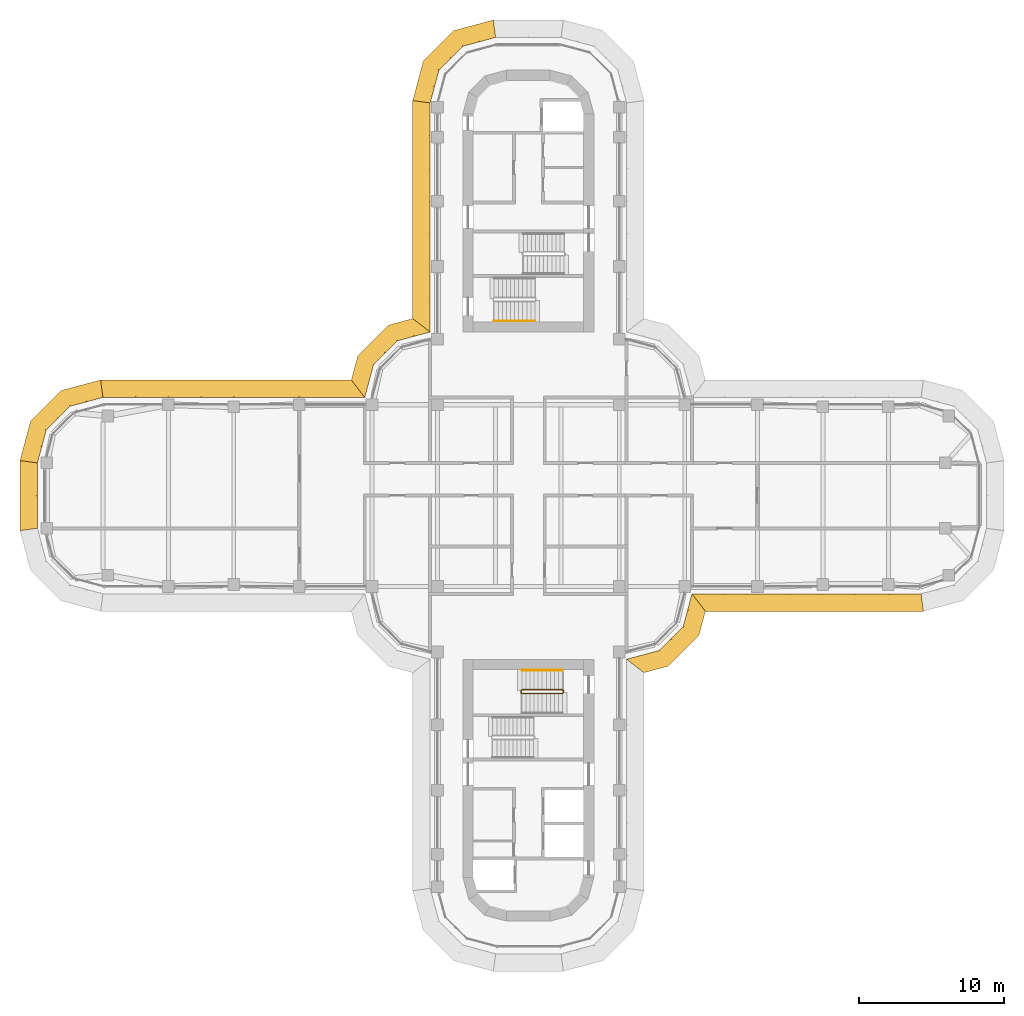
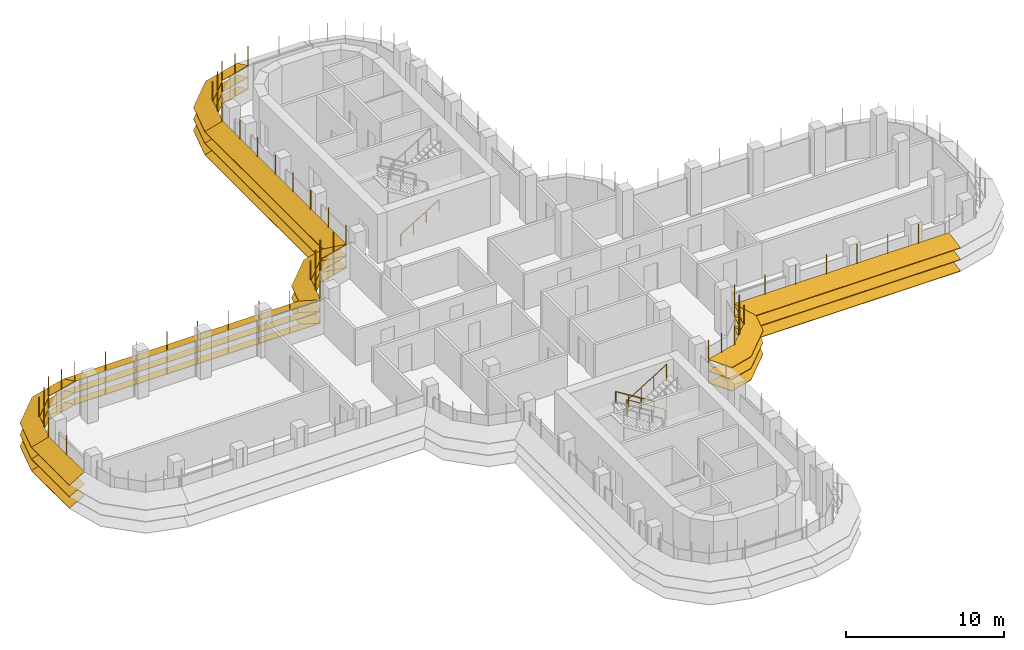
# One storey, part 17 of 19: 8 shading devices, 3 railings.
"""IFC4 building model written with IfcOpenShell, lengths in metres."""

from ifc_helpers import new_model, si_unit, direction, frame, origin, origin_2d, place, context, subcontext, project, spatial, polyline, circle, outline, extrude, faceted_brep, source, transform, mapped, material, type_object, element, save


model = new_model("IFC4")

# Units and contexts
model_context = context("Model", 3, precision=1e-05, world=origin(), true_north=direction((0.0, 1.0)))
body_context = subcontext(model_context, "Body", "Model", "MODEL_VIEW")
ifc_project = project(units=[si_unit("LENGTHUNIT", "METRE"), si_unit("AREAUNIT", "SQUARE_METRE"), si_unit("VOLUMEUNIT", "CUBIC_METRE"), si_unit("PLANEANGLEUNIT", "RADIAN"), si_unit("MASSUNIT", "GRAM", prefix="KILO")], contexts=[model_context])

# Site, building, storey
site_placement = place(None, origin())
site = spatial("IfcSite", under=ifc_project, at=site_placement, CompositionType="ELEMENT")
building_placement = place(site_placement, origin())
building = spatial("IfcBuilding", under=site, at=building_placement, Name="Zarbagh Exchange Tower", CompositionType="ELEMENT")
storey_placement = place(building_placement, frame((0.0, 0.0, 179.0)))
storey = spatial("IfcBuildingStorey", under=building, at=storey_placement, Name="L43", CompositionType="ELEMENT", Elevation=179.0)

# Railings
ifc_material_1 = material(Name="Stainless steel", Category="steel")
railing_type_1 = type_object("IfcRailingType", Name="Stair guard 1100 mm", PredefinedType="GUARDRAIL", material=ifc_material_1)
railing_1_placement = place(storey_placement, frame((-0.5, -13.39990234375, 1.89990234375)))
element("IfcRailing", 1, at=railing_1_placement, inside=storey, type_object=railing_type_1, Name="ST4 stair guard 1", PredefinedType="GUARDRAIL", context=body_context, shape_type="SweptSolid", body=[
    extrude(circle(Radius=0.02392578125, at=origin_2d()), frame((0.0, 0.0, 1.076171875), z_axis=(0.0, -1.0, 0.0), x_axis=(1.0, 0.0, 0.0)), (0.0, 0.0, 1.0), 0.150146484375),
    extrude(circle(Radius=0.02392578125, at=origin_2d()), frame((0.0, -0.150146484375, 1.076171875), z_axis=(0.267953482034, -0.267953482034, 0.925419830635), x_axis=(0.707106781187, 0.707106781187, 0.0)), (0.0, 0.0, 1.0), 0.186767578125),
    extrude(circle(Radius=0.02392578125, at=origin_2d()), frame((0.050048828125, -0.2001953125, 1.2490234375), z_axis=(0.851089632645, 0.0, 0.525020415988), x_axis=(0.0, 1.0, 0.0)), (0.0, 0.0, 1.0), 3.2900390625),
    extrude(circle(Radius=0.02392578125, at=origin_2d()), frame((2.85009765625, -0.2001953125, 2.97607421875), z_axis=(0.013104066473, 0.013168302093, -0.99982742474), x_axis=(-0.708833529934, 0.705375805398, 0.0)), (0.0, 0.0, 1.0), 3.80078125),
    extrude(circle(Radius=0.02392578125, at=origin_2d()), frame((2.89990234375, -0.150146484375, -0.82373046875), z_axis=(0.0, 1.0, 0.0), x_axis=(-1.0, 0.0, 0.0)), (0.0, 0.0, 1.0), 0.150146484375),
    extrude(circle(Radius=0.02392578125, at=origin_2d()), frame((2.89990234375, 0.0, -0.82373046875), z_axis=(-0.26715648603, 0.26715648603, 0.925880566782), x_axis=(-0.707106781187, -0.707106781187, 0.0)), (0.0, 0.0, 1.0), 0.1865234375),
    extrude(circle(Radius=0.02392578125, at=origin_2d()), frame((2.85009765625, 0.0498046875, -0.6513671875), z_axis=(-0.851089632645, 0.0, 0.525020415988), x_axis=(0.0, -1.0, 0.0)), (0.0, 0.0, 1.0), 3.2900390625),
    extrude(circle(Radius=0.02099609375, at=origin_2d()), origin(), (0.0, 0.0, 1.0), 1.052001953125),
    extrude(circle(Radius=0.02099609375, at=origin_2d()), frame((0.0, -0.150146484375, 0.0)), (0.0, 0.0, 1.0), 1.052001953125),
    extrude(circle(Radius=0.02099609375, at=origin_2d()), frame((0.050048828125, -0.2001953125, 0.1728515625)), (0.0, 0.0, 1.0), 1.052001953125),
    extrude(circle(Radius=0.02099609375, at=origin_2d()), frame((0.9833984375, -0.2001953125, 0.74853515625)), (0.0, 0.0, 1.0), 1.052001953125),
    extrude(circle(Radius=0.02099609375, at=origin_2d()), frame((1.916748046875, -0.2001953125, 1.324462890625)), (0.0, 0.0, 1.0), 1.052001953125),
    extrude(circle(Radius=0.02099609375, at=origin_2d()), frame((2.85009765625, -0.2001953125, 1.900146484375)), (0.0, 0.0, 1.0), 1.052001953125),
    extrude(circle(Radius=0.02099609375, at=origin_2d()), frame((2.862548828125, -0.187744140625, 0.9501953125)), (0.0, 0.0, 1.0), 1.052001953125),
    extrude(circle(Radius=0.02099609375, at=origin_2d()), frame((2.875, -0.17529296875, 0.0)), (0.0, 0.0, 1.0), 1.052001953125),
    extrude(circle(Radius=0.02099609375, at=origin_2d()), frame((2.887451171875, -0.16259765625, -0.949951171875)), (0.0, 0.0, 1.0), 1.052001953125),
    extrude(circle(Radius=0.02099609375, at=origin_2d()), frame((2.89990234375, -0.150146484375, -1.89990234375)), (0.0, 0.0, 1.0), 1.052001953125),
    extrude(circle(Radius=0.02099609375, at=origin_2d()), frame((2.89990234375, 0.0, -1.89990234375)), (0.0, 0.0, 1.0), 1.052001953125),
    extrude(circle(Radius=0.02099609375, at=origin_2d()), frame((2.85009765625, 0.0498046875, -1.727294921875)), (0.0, 0.0, 1.0), 1.052001953125),
    extrude(circle(Radius=0.02099609375, at=origin_2d()), frame((1.916748046875, 0.0498046875, -1.151611328125)), (0.0, 0.0, 1.0), 1.052001953125),
    extrude(circle(Radius=0.02099609375, at=origin_2d()), frame((0.9833984375, 0.0498046875, -0.57568359375)), (0.0, 0.0, 1.0), 1.052001953125),
    extrude(circle(Radius=0.02099609375, at=origin_2d()), frame((0.050048828125, 0.0498046875, 0.0)), (0.0, 0.0, 1.0), 1.052001953125),
])
railing_type_2 = type_object("IfcRailingType", Name="Stair handrail 900 mm", PredefinedType="HANDRAIL", material=ifc_material_1)
railing_2_placement = place(storey_placement, frame((-2.35009765625, 12.0, 0.172607421875)))
element("IfcRailing", 2, at=railing_2_placement, inside=storey, type_object=railing_type_2, Name="ST2 stair handrail 1", PredefinedType="HANDRAIL", context=body_context, shape_type="SweptSolid", body=[
    extrude(circle(Radius=0.02392578125, at=origin_2d()), frame((0.0, 0.0, 0.8759765625), z_axis=(0.851089632645, 0.0, 0.525020415988), x_axis=(0.0, 1.0, 0.0)), (0.0, 0.0, 1.0), 3.2900390625),
    extrude(circle(Radius=0.02099609375, at=origin_2d()), origin(), (0.0, 0.0, 1.0), 0.851806640625),
    extrude(circle(Radius=0.02099609375, at=origin_2d()), frame((0.933349609375, 0.0, 0.57568359375)), (0.0, 0.0, 1.0), 0.851806640625),
    extrude(circle(Radius=0.02099609375, at=origin_2d()), frame((1.86669921875, 0.0, 1.151611328125)), (0.0, 0.0, 1.0), 0.851806640625),
    extrude(circle(Radius=0.02099609375, at=origin_2d()), frame((2.800048828125, 0.0, 1.727294921875)), (0.0, 0.0, 1.0), 0.851806640625),
])
railing_3_placement = place(storey_placement, frame((2.35009765625, -12.0, 0.172607421875)))
element("IfcRailing", 3, at=railing_3_placement, inside=storey, type_object=railing_type_2, Name="ST4 stair handrail 1", PredefinedType="HANDRAIL", context=body_context, shape_type="SweptSolid", body=[
    extrude(circle(Radius=0.02392578125, at=origin_2d()), frame((0.0, 0.0, 0.8759765625), z_axis=(-0.851089632645, 0.0, 0.525020415988), x_axis=(0.0, -1.0, 0.0)), (0.0, 0.0, 1.0), 3.2900390625),
    extrude(circle(Radius=0.02099609375, at=origin_2d()), origin(), (0.0, 0.0, 1.0), 0.851806640625),
    extrude(circle(Radius=0.02099609375, at=origin_2d()), frame((-0.933349609375, 0.0, 0.57568359375)), (0.0, 0.0, 1.0), 0.851806640625),
    extrude(circle(Radius=0.02099609375, at=origin_2d()), frame((-1.86669921875, 0.0, 1.151611328125)), (0.0, 0.0, 1.0), 0.851806640625),
    extrude(circle(Radius=0.02099609375, at=origin_2d()), frame((-2.800048828125, 0.0, 1.727294921875)), (0.0, 0.0, 1.0), 0.851806640625),
])

# Shading devices
ifc_material_2 = material(Name="Anodised aluminium blades and brackets", Category="aluminium")
shading_device_type = type_object("IfcShadingDeviceType", Name="SUNSHADE louvre band, 22.5 degree blades", PredefinedType="JALOUSIE", material=ifc_material_2)
shared_shape_1 = source(origin(), body_context, "Body", "Brep", [
    faceted_brep([(0.0, 0.0, 0.0), (0.0, 0.0, -0.043212890625), (-0.157958984375, -1.199951171875, -0.540283203125), (-0.157958984375, -1.199951171875, -0.4970703125), (2.65087890625, -1.199951171875, -0.4970703125), (2.65087890625, -1.199951171875, -0.540283203125), (2.329345703125, 0.0, -0.043212890625), (2.329345703125, 0.0, 0.0)], [[[0, 1, 2, 3]], [[4, 5, 6, 7]], [[0, 7, 6, 1]], [[1, 6, 5, 2]], [[2, 5, 4, 3]], [[3, 4, 7, 0]]]),
])
shared_shape_2 = source(origin(), body_context, "Body", "Brep", [
    faceted_brep([(0.0, 0.0, 0.0), (0.0, 0.0, -0.043212890625), (-0.321533203125, -1.199951171875, -0.540283203125), (-0.321533203125, -1.199951171875, -0.4970703125), (2.65087890625, -1.199951171875, -0.4970703125), (2.65087890625, -1.199951171875, -0.540283203125), (2.329345703125, 0.0, -0.043212890625), (2.329345703125, 0.0, 0.0)], [[[0, 1, 2, 3]], [[4, 5, 6, 7]], [[0, 7, 6, 1]], [[1, 6, 5, 2]], [[2, 5, 4, 3]], [[3, 4, 7, 0]]]),
])
shared_shape_3 = source(origin(), body_context, "Body", "Brep", [
    faceted_brep([(0.0, 0.0, 0.0), (0.0, 0.0, -0.043212890625), (-0.321533203125, -1.199951171875, -0.540283203125), (-0.321533203125, -1.199951171875, -0.4970703125), (2.4873046875, -1.199951171875, -0.4970703125), (2.4873046875, -1.199951171875, -0.540283203125), (2.329345703125, 0.0, -0.043212890625), (2.329345703125, 0.0, 0.0)], [[[0, 1, 2, 3]], [[4, 5, 6, 7]], [[0, 7, 6, 1]], [[1, 6, 5, 2]], [[2, 5, 4, 3]], [[3, 4, 7, 0]]]),
])
shared_shape_4 = source(origin(), body_context, "Body", "SweptSolid", [
    extrude(outline(polyline([(0.0, -0.012451171875), (0.06005859375, -0.012451171875), (0.06005859375, 0.012451171875), (0.0, 0.012451171875), (0.0, -0.012451171875)])), origin(), (0.0, 0.0, 1.0), 3.353271484375),
])
placement = place(storey_placement, origin())
element("IfcShadingDevice", 4, at=placement, inside=storey, type_object=shading_device_type, Name="SS28 sunshade band", PredefinedType="JALOUSIE", context=body_context, shape_type="MappedRepresentation", body=[
    mapped(shared_shape_1, transform((-2.25, 31.5, 2.300048828125), x_axis=(-0.965924289636, -0.258824779902, 0.0), y_axis=(0.258824779902, -0.965924289636, 0.0), z_axis=(0.0, 0.0, 1.0))),
    mapped(shared_shape_1, transform((-2.25, 31.5, 1.39990234375), x_axis=(-0.965924289636, -0.258824779902, 0.0), y_axis=(0.258824779902, -0.965924289636, 0.0), z_axis=(0.0, 0.0, 1.0))),
    mapped(shared_shape_1, transform((-2.25, 31.5, 0.5), x_axis=(-0.965924289636, -0.258824779902, 0.0), y_axis=(0.258824779902, -0.965924289636, 0.0), z_axis=(0.0, 0.0, 1.0))),
    mapped(shared_shape_2, transform((-4.5, 30.897216796875, 2.300048828125), x_axis=(-0.707106781187, -0.707106781187, 0.0), y_axis=(0.707106781187, -0.707106781187, 0.0), z_axis=(0.0, 0.0, 1.0))),
    mapped(shared_shape_2, transform((-4.5, 30.897216796875, 1.39990234375), x_axis=(-0.707106781187, -0.707106781187, 0.0), y_axis=(0.707106781187, -0.707106781187, 0.0), z_axis=(0.0, 0.0, 1.0))),
    mapped(shared_shape_2, transform((-4.5, 30.897216796875, 0.5), x_axis=(-0.707106781187, -0.707106781187, 0.0), y_axis=(0.707106781187, -0.707106781187, 0.0), z_axis=(0.0, 0.0, 1.0))),
    mapped(shared_shape_3, transform((-6.147216796875, 29.25, 2.300048828125), x_axis=(-0.258824779902, -0.965924289636, 0.0), y_axis=(0.965924289636, -0.258824779902, 0.0), z_axis=(0.0, 0.0, 1.0))),
    mapped(shared_shape_3, transform((-6.147216796875, 29.25, 1.39990234375), x_axis=(-0.258824779902, -0.965924289636, 0.0), y_axis=(0.965924289636, -0.258824779902, 0.0), z_axis=(0.0, 0.0, 1.0))),
    mapped(shared_shape_3, transform((-6.147216796875, 29.25, 0.5), x_axis=(-0.258824779902, -0.965924289636, 0.0), y_axis=(0.965924289636, -0.258824779902, 0.0), z_axis=(0.0, 0.0, 1.0))),
    mapped(shared_shape_4, transform((-2.25, 31.5, 0.4267578125), x_axis=(-0.130529263012, 0.991444457092, 0.0), y_axis=(-0.991444457092, -0.130529263012, 0.0), z_axis=(0.0, 0.0, 1.0))),
    mapped(shared_shape_4, transform((-3.375, 31.198486328125, 0.4267578125), x_axis=(-0.258825058029, 0.96592421511, 0.0), y_axis=(-0.96592421511, -0.258825058029, 0.0), z_axis=(0.0, 0.0, 1.0))),
    mapped(shared_shape_4, transform((-4.5, 30.897216796875, 0.4267578125), x_axis=(-0.50000275701, 0.866023812018, 0.0), y_axis=(-0.866023812018, -0.50000275701, 0.0), z_axis=(0.0, 0.0, 1.0))),
    mapped(shared_shape_4, transform((-5.323486328125, 30.073486328125, 0.4267578125), x_axis=(-0.707106781187, 0.707106781187, 0.0), y_axis=(-0.707106781187, -0.707106781187, 0.0), z_axis=(0.0, 0.0, 1.0))),
    mapped(shared_shape_4, transform((-6.147216796875, 29.25, 0.4267578125), x_axis=(-0.866023812018, 0.50000275701, 0.0), y_axis=(-0.50000275701, -0.866023812018, 0.0), z_axis=(0.0, 0.0, 1.0))),
    mapped(shared_shape_4, transform((-6.448486328125, 28.125, 0.4267578125), x_axis=(-0.96592421511, 0.258825058029, 0.0), y_axis=(-0.258825058029, -0.96592421511, 0.0), z_axis=(0.0, 0.0, 1.0))),
])
element("IfcShadingDevice", 5, at=placement, inside=storey, type_object=shading_device_type, Name="SS17 sunshade band", PredefinedType="JALOUSIE", context=body_context, shape_type="MappedRepresentation", body=[
    mapped(shared_shape_1, transform((-29.25, 6.75, 2.300048828125), x_axis=(-0.965924289636, -0.258824779902, 0.0), y_axis=(0.258824779902, -0.965924289636, 0.0), z_axis=(0.0, 0.0, 1.0))),
    mapped(shared_shape_1, transform((-29.25, 6.75, 1.39990234375), x_axis=(-0.965924289636, -0.258824779902, 0.0), y_axis=(0.258824779902, -0.965924289636, 0.0), z_axis=(0.0, 0.0, 1.0))),
    mapped(shared_shape_1, transform((-29.25, 6.75, 0.5), x_axis=(-0.965924289636, -0.258824779902, 0.0), y_axis=(0.258824779902, -0.965924289636, 0.0), z_axis=(0.0, 0.0, 1.0))),
    mapped(shared_shape_2, transform((-31.5, 6.147216796875, 2.300048828125), x_axis=(-0.707106781187, -0.707106781187, 0.0), y_axis=(0.707106781187, -0.707106781187, 0.0), z_axis=(0.0, 0.0, 1.0))),
    mapped(shared_shape_2, transform((-31.5, 6.147216796875, 1.39990234375), x_axis=(-0.707106781187, -0.707106781187, 0.0), y_axis=(0.707106781187, -0.707106781187, 0.0), z_axis=(0.0, 0.0, 1.0))),
    mapped(shared_shape_2, transform((-31.5, 6.147216796875, 0.5), x_axis=(-0.707106781187, -0.707106781187, 0.0), y_axis=(0.707106781187, -0.707106781187, 0.0), z_axis=(0.0, 0.0, 1.0))),
    mapped(shared_shape_3, transform((-33.147216796875, 4.5, 2.300048828125), x_axis=(-0.258824779902, -0.965924289636, 0.0), y_axis=(0.965924289636, -0.258824779902, 0.0), z_axis=(0.0, 0.0, 1.0))),
    mapped(shared_shape_3, transform((-33.147216796875, 4.5, 1.39990234375), x_axis=(-0.258824779902, -0.965924289636, 0.0), y_axis=(0.965924289636, -0.258824779902, 0.0), z_axis=(0.0, 0.0, 1.0))),
    mapped(shared_shape_3, transform((-33.147216796875, 4.5, 0.5), x_axis=(-0.258824779902, -0.965924289636, 0.0), y_axis=(0.965924289636, -0.258824779902, 0.0), z_axis=(0.0, 0.0, 1.0))),
    mapped(shared_shape_4, transform((-29.25, 6.75, 0.4267578125), x_axis=(-0.130529263012, 0.991444457092, 0.0), y_axis=(-0.991444457092, -0.130529263012, 0.0), z_axis=(0.0, 0.0, 1.0))),
    mapped(shared_shape_4, transform((-30.375, 6.448486328125, 0.4267578125), x_axis=(-0.258825058029, 0.96592421511, 0.0), y_axis=(-0.96592421511, -0.258825058029, 0.0), z_axis=(0.0, 0.0, 1.0))),
    mapped(shared_shape_4, transform((-31.5, 6.147216796875, 0.4267578125), x_axis=(-0.50000275701, 0.866023812018, 0.0), y_axis=(-0.866023812018, -0.50000275701, 0.0), z_axis=(0.0, 0.0, 1.0))),
    mapped(shared_shape_4, transform((-32.323486328125, 5.323486328125, 0.4267578125), x_axis=(-0.707106781187, 0.707106781187, 0.0), y_axis=(-0.707106781187, -0.707106781187, 0.0), z_axis=(0.0, 0.0, 1.0))),
    mapped(shared_shape_4, transform((-33.147216796875, 4.5, 0.4267578125), x_axis=(-0.866023812018, 0.50000275701, 0.0), y_axis=(-0.50000275701, -0.866023812018, 0.0), z_axis=(0.0, 0.0, 1.0))),
    mapped(shared_shape_4, transform((-33.448486328125, 3.375, 0.4267578125), x_axis=(-0.96592421511, 0.258825058029, 0.0), y_axis=(-0.258825058029, -0.96592421511, 0.0), z_axis=(0.0, 0.0, 1.0))),
])
shared_shape_5 = source(origin(), body_context, "Body", "Brep", [
    faceted_brep([(0.0, 0.0, 0.0), (0.0, 0.0, -0.043212890625), (0.9208984375, -1.199951171875, -0.540283203125), (0.9208984375, -1.199951171875, -0.4970703125), (2.65087890625, -1.199951171875, -0.4970703125), (2.65087890625, -1.199951171875, -0.540283203125), (2.329345703125, 0.0, -0.043212890625), (2.329345703125, 0.0, 0.0)], [[[0, 1, 2, 3]], [[4, 5, 6, 7]], [[0, 7, 6, 1]], [[1, 6, 5, 2]], [[2, 5, 4, 3]], [[3, 4, 7, 0]]]),
])
shared_shape_6 = source(origin(), body_context, "Body", "Brep", [
    faceted_brep([(0.0, 0.0, 0.0), (0.0, 0.0, -0.043212890625), (-0.321533203125, -1.199951171875, -0.540283203125), (-0.321533203125, -1.199951171875, -0.4970703125), (1.40869140625, -1.199951171875, -0.4970703125), (1.40869140625, -1.199951171875, -0.540283203125), (2.329345703125, 0.0, -0.043212890625), (2.329345703125, 0.0, 0.0)], [[[0, 1, 2, 3]], [[4, 5, 6, 7]], [[0, 7, 6, 1]], [[1, 6, 5, 2]], [[2, 5, 4, 3]], [[3, 4, 7, 0]]]),
])
element("IfcShadingDevice", 6, at=placement, inside=storey, type_object=shading_device_type, Name="SS03 sunshade band", PredefinedType="JALOUSIE", context=body_context, shape_type="MappedRepresentation", body=[
    mapped(shared_shape_5, transform((6.75, -11.25, 2.300048828125), x_axis=(0.965924289636, 0.258824779902, 0.0), y_axis=(-0.258824779902, 0.965924289636, 0.0), z_axis=(0.0, 0.0, 1.0))),
    mapped(shared_shape_5, transform((6.75, -11.25, 1.39990234375), x_axis=(0.965924289636, 0.258824779902, 0.0), y_axis=(-0.258824779902, 0.965924289636, 0.0), z_axis=(0.0, 0.0, 1.0))),
    mapped(shared_shape_5, transform((6.75, -11.25, 0.5), x_axis=(0.965924289636, 0.258824779902, 0.0), y_axis=(-0.258824779902, 0.965924289636, 0.0), z_axis=(0.0, 0.0, 1.0))),
    mapped(shared_shape_2, transform((9.0, -10.647216796875, 2.300048828125), x_axis=(0.707106781187, 0.707106781187, 0.0), y_axis=(-0.707106781187, 0.707106781187, 0.0), z_axis=(0.0, 0.0, 1.0))),
    mapped(shared_shape_2, transform((9.0, -10.647216796875, 1.39990234375), x_axis=(0.707106781187, 0.707106781187, 0.0), y_axis=(-0.707106781187, 0.707106781187, 0.0), z_axis=(0.0, 0.0, 1.0))),
    mapped(shared_shape_2, transform((9.0, -10.647216796875, 0.5), x_axis=(0.707106781187, 0.707106781187, 0.0), y_axis=(-0.707106781187, 0.707106781187, 0.0), z_axis=(0.0, 0.0, 1.0))),
    mapped(shared_shape_6, transform((10.647216796875, -9.0, 2.300048828125), x_axis=(0.258824779902, 0.965924289636, 0.0), y_axis=(-0.965924289636, 0.258824779902, 0.0), z_axis=(0.0, 0.0, 1.0))),
    mapped(shared_shape_6, transform((10.647216796875, -9.0, 1.39990234375), x_axis=(0.258824779902, 0.965924289636, 0.0), y_axis=(-0.965924289636, 0.258824779902, 0.0), z_axis=(0.0, 0.0, 1.0))),
    mapped(shared_shape_6, transform((10.647216796875, -9.0, 0.5), x_axis=(0.258824779902, 0.965924289636, 0.0), y_axis=(-0.965924289636, 0.258824779902, 0.0), z_axis=(0.0, 0.0, 1.0))),
    mapped(shared_shape_4, transform((6.75, -11.25, 0.4267578125), x_axis=(0.793355287, -0.608758892, 0.0), y_axis=(0.608758892, 0.793355287, 0.0), z_axis=(0.0, 0.0, 1.0))),
    mapped(shared_shape_4, transform((7.875, -10.948486328125, 0.4267578125), x_axis=(0.258825058029, -0.96592421511, 0.0), y_axis=(0.96592421511, 0.258825058029, 0.0), z_axis=(0.0, 0.0, 1.0))),
    mapped(shared_shape_4, transform((9.0, -10.647216796875, 0.4267578125), x_axis=(0.50000275701, -0.866023812018, 0.0), y_axis=(0.866023812018, 0.50000275701, 0.0), z_axis=(0.0, 0.0, 1.0))),
    mapped(shared_shape_4, transform((9.823486328125, -9.823486328125, 0.4267578125), x_axis=(0.707106781187, -0.707106781187, 0.0), y_axis=(0.707106781187, 0.707106781187, 0.0), z_axis=(0.0, 0.0, 1.0))),
    mapped(shared_shape_4, transform((10.647216796875, -9.0, 0.4267578125), x_axis=(0.866023812018, -0.50000275701, 0.0), y_axis=(0.50000275701, 0.866023812018, 0.0), z_axis=(0.0, 0.0, 1.0))),
    mapped(shared_shape_4, transform((10.948486328125, -7.875, 0.4267578125), x_axis=(0.96592421511, -0.258825058029, 0.0), y_axis=(0.258825058029, 0.96592421511, 0.0), z_axis=(0.0, 0.0, 1.0))),
])
element("IfcShadingDevice", 7, at=placement, inside=storey, type_object=shading_device_type, Name="SS15 sunshade band", PredefinedType="JALOUSIE", context=body_context, shape_type="MappedRepresentation", body=[
    mapped(shared_shape_5, transform((-6.75, 11.25, 2.300048828125), x_axis=(-0.965924289636, -0.258824779902, 0.0), y_axis=(0.258824779902, -0.965924289636, 0.0), z_axis=(0.0, 0.0, 1.0))),
    mapped(shared_shape_5, transform((-6.75, 11.25, 1.39990234375), x_axis=(-0.965924289636, -0.258824779902, 0.0), y_axis=(0.258824779902, -0.965924289636, 0.0), z_axis=(0.0, 0.0, 1.0))),
    mapped(shared_shape_5, transform((-6.75, 11.25, 0.5), x_axis=(-0.965924289636, -0.258824779902, 0.0), y_axis=(0.258824779902, -0.965924289636, 0.0), z_axis=(0.0, 0.0, 1.0))),
    mapped(shared_shape_2, transform((-9.0, 10.647216796875, 2.300048828125), x_axis=(-0.707106781187, -0.707106781187, 0.0), y_axis=(0.707106781187, -0.707106781187, 0.0), z_axis=(0.0, 0.0, 1.0))),
    mapped(shared_shape_2, transform((-9.0, 10.647216796875, 1.39990234375), x_axis=(-0.707106781187, -0.707106781187, 0.0), y_axis=(0.707106781187, -0.707106781187, 0.0), z_axis=(0.0, 0.0, 1.0))),
    mapped(shared_shape_2, transform((-9.0, 10.647216796875, 0.5), x_axis=(-0.707106781187, -0.707106781187, 0.0), y_axis=(0.707106781187, -0.707106781187, 0.0), z_axis=(0.0, 0.0, 1.0))),
    mapped(shared_shape_6, transform((-10.647216796875, 9.0, 2.300048828125), x_axis=(-0.258824779902, -0.965924289636, 0.0), y_axis=(0.965924289636, -0.258824779902, 0.0), z_axis=(0.0, 0.0, 1.0))),
    mapped(shared_shape_6, transform((-10.647216796875, 9.0, 1.39990234375), x_axis=(-0.258824779902, -0.965924289636, 0.0), y_axis=(0.965924289636, -0.258824779902, 0.0), z_axis=(0.0, 0.0, 1.0))),
    mapped(shared_shape_6, transform((-10.647216796875, 9.0, 0.5), x_axis=(-0.258824779902, -0.965924289636, 0.0), y_axis=(0.965924289636, -0.258824779902, 0.0), z_axis=(0.0, 0.0, 1.0))),
    mapped(shared_shape_4, transform((-6.75, 11.25, 0.4267578125), x_axis=(-0.793355287, 0.608758892, 0.0), y_axis=(-0.608758892, -0.793355287, 0.0), z_axis=(0.0, 0.0, 1.0))),
    mapped(shared_shape_4, transform((-7.875, 10.948486328125, 0.4267578125), x_axis=(-0.258825058029, 0.96592421511, 0.0), y_axis=(-0.96592421511, -0.258825058029, 0.0), z_axis=(0.0, 0.0, 1.0))),
    mapped(shared_shape_4, transform((-9.0, 10.647216796875, 0.4267578125), x_axis=(-0.50000275701, 0.866023812018, 0.0), y_axis=(-0.866023812018, -0.50000275701, 0.0), z_axis=(0.0, 0.0, 1.0))),
    mapped(shared_shape_4, transform((-9.823486328125, 9.823486328125, 0.4267578125), x_axis=(-0.707106781187, 0.707106781187, 0.0), y_axis=(-0.707106781187, -0.707106781187, 0.0), z_axis=(0.0, 0.0, 1.0))),
    mapped(shared_shape_4, transform((-10.647216796875, 9.0, 0.4267578125), x_axis=(-0.866023812018, 0.50000275701, 0.0), y_axis=(-0.50000275701, -0.866023812018, 0.0), z_axis=(0.0, 0.0, 1.0))),
    mapped(shared_shape_4, transform((-10.948486328125, 7.875, 0.4267578125), x_axis=(-0.96592421511, 0.258825058029, 0.0), y_axis=(-0.258825058029, -0.96592421511, 0.0), z_axis=(0.0, 0.0, 1.0))),
])
shared_shape_7 = source(origin(), body_context, "Body", "Brep", [
    faceted_brep([(0.0, 0.0, 0.0), (0.0, 0.0, -0.043212890625), (0.9208984375, -1.199951171875, -0.540283203125), (0.9208984375, -1.199951171875, -0.4970703125), (15.907958984375, -1.199951171875, -0.4970703125), (15.907958984375, -1.199951171875, -0.540283203125), (15.75, 0.0, -0.043212890625), (15.75, 0.0, 0.0)], [[[0, 1, 2, 3]], [[4, 5, 6, 7]], [[0, 7, 6, 1]], [[1, 6, 5, 2]], [[2, 5, 4, 3]], [[3, 4, 7, 0]]]),
])
element("IfcShadingDevice", 8, at=placement, inside=storey, type_object=shading_device_type, Name="SS30 sunshade band", PredefinedType="JALOUSIE", context=body_context, shape_type="MappedRepresentation", body=[
    mapped(shared_shape_7, transform((11.25, -6.75, 2.300048828125), x_axis=(1.0, 0.0, 0.0), y_axis=(0.0, 1.0, 0.0), z_axis=(0.0, 0.0, 1.0))),
    mapped(shared_shape_7, transform((11.25, -6.75, 1.39990234375), x_axis=(1.0, 0.0, 0.0), y_axis=(0.0, 1.0, 0.0), z_axis=(0.0, 0.0, 1.0))),
    mapped(shared_shape_7, transform((11.25, -6.75, 0.5), x_axis=(1.0, 0.0, 0.0), y_axis=(0.0, 1.0, 0.0), z_axis=(0.0, 0.0, 1.0))),
    mapped(shared_shape_4, transform((11.25, -6.75, 0.4267578125), x_axis=(0.608758892, -0.793355287, 0.0), y_axis=(0.793355287, 0.608758892, 0.0), z_axis=(0.0, 0.0, 1.0))),
    mapped(shared_shape_4, transform((13.5, -6.75, 0.4267578125), x_axis=(0.0, -1.0, 0.0), y_axis=(1.0, 0.0, 0.0), z_axis=(0.0, 0.0, 1.0))),
    mapped(shared_shape_4, transform((15.75, -6.75, 0.4267578125), x_axis=(0.0, -1.0, 0.0), y_axis=(1.0, 0.0, 0.0), z_axis=(0.0, 0.0, 1.0))),
    mapped(shared_shape_4, transform((18.0, -6.75, 0.4267578125), x_axis=(0.0, -1.0, 0.0), y_axis=(1.0, 0.0, 0.0), z_axis=(0.0, 0.0, 1.0))),
    mapped(shared_shape_4, transform((20.25, -6.75, 0.4267578125), x_axis=(0.0, -1.0, 0.0), y_axis=(1.0, 0.0, 0.0), z_axis=(0.0, 0.0, 1.0))),
    mapped(shared_shape_4, transform((22.5, -6.75, 0.4267578125), x_axis=(0.0, -1.0, 0.0), y_axis=(1.0, 0.0, 0.0), z_axis=(0.0, 0.0, 1.0))),
    mapped(shared_shape_4, transform((24.75, -6.75, 0.4267578125), x_axis=(0.0, -1.0, 0.0), y_axis=(1.0, 0.0, 0.0), z_axis=(0.0, 0.0, 1.0))),
])
shared_shape_8 = source(origin(), body_context, "Body", "Brep", [
    faceted_brep([(0.0, 0.0, 0.0), (0.0, 0.0, -0.043212890625), (-0.157958984375, -1.199951171875, -0.540283203125), (-0.157958984375, -1.199951171875, -0.4970703125), (14.8291015625, -1.199951171875, -0.4970703125), (14.8291015625, -1.199951171875, -0.540283203125), (15.75, 0.0, -0.043212890625), (15.75, 0.0, 0.0)], [[[0, 1, 2, 3]], [[4, 5, 6, 7]], [[0, 7, 6, 1]], [[1, 6, 5, 2]], [[2, 5, 4, 3]], [[3, 4, 7, 0]]]),
])
element("IfcShadingDevice", 9, at=placement, inside=storey, type_object=shading_device_type, Name="SS29 sunshade band", PredefinedType="JALOUSIE", context=body_context, shape_type="MappedRepresentation", body=[
    mapped(shared_shape_8, transform((-6.75, 27.0, 2.300048828125), x_axis=(0.0, -1.0, 0.0), y_axis=(1.0, 0.0, 0.0), z_axis=(0.0, 0.0, 1.0))),
    mapped(shared_shape_8, transform((-6.75, 27.0, 1.39990234375), x_axis=(0.0, -1.0, 0.0), y_axis=(1.0, 0.0, 0.0), z_axis=(0.0, 0.0, 1.0))),
    mapped(shared_shape_8, transform((-6.75, 27.0, 0.5), x_axis=(0.0, -1.0, 0.0), y_axis=(1.0, 0.0, 0.0), z_axis=(0.0, 0.0, 1.0))),
    mapped(shared_shape_4, transform((-6.75, 27.0, 0.4267578125), x_axis=(-0.991444457092, 0.130529263012, 0.0), y_axis=(-0.130529263012, -0.991444457092, 0.0), z_axis=(0.0, 0.0, 1.0))),
    mapped(shared_shape_4, transform((-6.75, 24.75, 0.4267578125), x_axis=(-1.0, 0.0, 0.0), y_axis=(0.0, -1.0, 0.0), z_axis=(0.0, 0.0, 1.0))),
    mapped(shared_shape_4, transform((-6.75, 22.5, 0.4267578125), x_axis=(-1.0, 0.0, 0.0), y_axis=(0.0, -1.0, 0.0), z_axis=(0.0, 0.0, 1.0))),
    mapped(shared_shape_4, transform((-6.75, 20.25, 0.4267578125), x_axis=(-1.0, 0.0, 0.0), y_axis=(0.0, -1.0, 0.0), z_axis=(0.0, 0.0, 1.0))),
    mapped(shared_shape_4, transform((-6.75, 18.0, 0.4267578125), x_axis=(-1.0, 0.0, 0.0), y_axis=(0.0, -1.0, 0.0), z_axis=(0.0, 0.0, 1.0))),
    mapped(shared_shape_4, transform((-6.75, 15.75, 0.4267578125), x_axis=(-1.0, 0.0, 0.0), y_axis=(0.0, -1.0, 0.0), z_axis=(0.0, 0.0, 1.0))),
    mapped(shared_shape_4, transform((-6.75, 13.5, 0.4267578125), x_axis=(-1.0, 0.0, 0.0), y_axis=(0.0, -1.0, 0.0), z_axis=(0.0, 0.0, 1.0))),
])
shared_shape_9 = source(origin(), body_context, "Body", "Brep", [
    faceted_brep([(0.0, 0.0, 0.0), (0.0, 0.0, -0.043212890625), (0.9208984375, -1.199951171875, -0.540283203125), (0.9208984375, -1.199951171875, -0.4970703125), (18.157958984375, -1.199951171875, -0.4970703125), (18.157958984375, -1.199951171875, -0.540283203125), (18.0, 0.0, -0.043212890625), (18.0, 0.0, 0.0)], [[[0, 1, 2, 3]], [[4, 5, 6, 7]], [[0, 7, 6, 1]], [[1, 6, 5, 2]], [[2, 5, 4, 3]], [[3, 4, 7, 0]]]),
])
element("IfcShadingDevice", 10, at=placement, inside=storey, type_object=shading_device_type, Name="SS16 sunshade band", PredefinedType="JALOUSIE", context=body_context, shape_type="MappedRepresentation", body=[
    mapped(shared_shape_9, transform((-11.25, 6.75, 2.300048828125), x_axis=(-1.0, 0.0, 0.0), y_axis=(0.0, -1.0, 0.0), z_axis=(0.0, 0.0, 1.0))),
    mapped(shared_shape_9, transform((-11.25, 6.75, 1.39990234375), x_axis=(-1.0, 0.0, 0.0), y_axis=(0.0, -1.0, 0.0), z_axis=(0.0, 0.0, 1.0))),
    mapped(shared_shape_9, transform((-11.25, 6.75, 0.5), x_axis=(-1.0, 0.0, 0.0), y_axis=(0.0, -1.0, 0.0), z_axis=(0.0, 0.0, 1.0))),
    mapped(shared_shape_4, transform((-11.25, 6.75, 0.4267578125), x_axis=(-0.608758892, 0.793355287, 0.0), y_axis=(-0.793355287, -0.608758892, 0.0), z_axis=(0.0, 0.0, 1.0))),
    mapped(shared_shape_4, transform((-13.5, 6.75, 0.4267578125), x_axis=(0.0, 1.0, 0.0), y_axis=(-1.0, 0.0, 0.0), z_axis=(0.0, 0.0, 1.0))),
    mapped(shared_shape_4, transform((-15.75, 6.75, 0.4267578125), x_axis=(0.0, 1.0, 0.0), y_axis=(-1.0, 0.0, 0.0), z_axis=(0.0, 0.0, 1.0))),
    mapped(shared_shape_4, transform((-18.0, 6.75, 0.4267578125), x_axis=(0.0, 1.0, 0.0), y_axis=(-1.0, 0.0, 0.0), z_axis=(0.0, 0.0, 1.0))),
    mapped(shared_shape_4, transform((-20.25, 6.75, 0.4267578125), x_axis=(0.0, 1.0, 0.0), y_axis=(-1.0, 0.0, 0.0), z_axis=(0.0, 0.0, 1.0))),
    mapped(shared_shape_4, transform((-22.5, 6.75, 0.4267578125), x_axis=(0.0, 1.0, 0.0), y_axis=(-1.0, 0.0, 0.0), z_axis=(0.0, 0.0, 1.0))),
    mapped(shared_shape_4, transform((-24.75, 6.75, 0.4267578125), x_axis=(0.0, 1.0, 0.0), y_axis=(-1.0, 0.0, 0.0), z_axis=(0.0, 0.0, 1.0))),
    mapped(shared_shape_4, transform((-27.0, 6.75, 0.4267578125), x_axis=(0.0, 1.0, 0.0), y_axis=(-1.0, 0.0, 0.0), z_axis=(0.0, 0.0, 1.0))),
])
shared_shape_10 = source(origin(), body_context, "Body", "Brep", [
    faceted_brep([(0.0, 0.0, 0.0), (0.0, 0.0, -0.043212890625), (-0.157958984375, -1.199951171875, -0.540283203125), (-0.157958984375, -1.199951171875, -0.4970703125), (4.657958984375, -1.199951171875, -0.4970703125), (4.657958984375, -1.199951171875, -0.540283203125), (4.5, 0.0, -0.043212890625), (4.5, 0.0, 0.0)], [[[0, 1, 2, 3]], [[4, 5, 6, 7]], [[0, 7, 6, 1]], [[1, 6, 5, 2]], [[2, 5, 4, 3]], [[3, 4, 7, 0]]]),
])
element("IfcShadingDevice", 11, at=placement, inside=storey, type_object=shading_device_type, Name="SS18 sunshade band", PredefinedType="JALOUSIE", context=body_context, shape_type="MappedRepresentation", body=[
    mapped(shared_shape_10, transform((-33.75, 2.25, 2.300048828125), x_axis=(0.0, -1.0, 0.0), y_axis=(1.0, 0.0, 0.0), z_axis=(0.0, 0.0, 1.0))),
    mapped(shared_shape_10, transform((-33.75, 2.25, 1.39990234375), x_axis=(0.0, -1.0, 0.0), y_axis=(1.0, 0.0, 0.0), z_axis=(0.0, 0.0, 1.0))),
    mapped(shared_shape_10, transform((-33.75, 2.25, 0.5), x_axis=(0.0, -1.0, 0.0), y_axis=(1.0, 0.0, 0.0), z_axis=(0.0, 0.0, 1.0))),
    mapped(shared_shape_4, transform((-33.75, 2.25, 0.4267578125), x_axis=(-0.991444457092, 0.130529263012, 0.0), y_axis=(-0.130529263012, -0.991444457092, 0.0), z_axis=(0.0, 0.0, 1.0))),
    mapped(shared_shape_4, transform((-33.75, 0.0, 0.4267578125), x_axis=(-1.0, 0.0, 0.0), y_axis=(0.0, -1.0, 0.0), z_axis=(0.0, 0.0, 1.0))),
])

save(model, "model.ifc")
